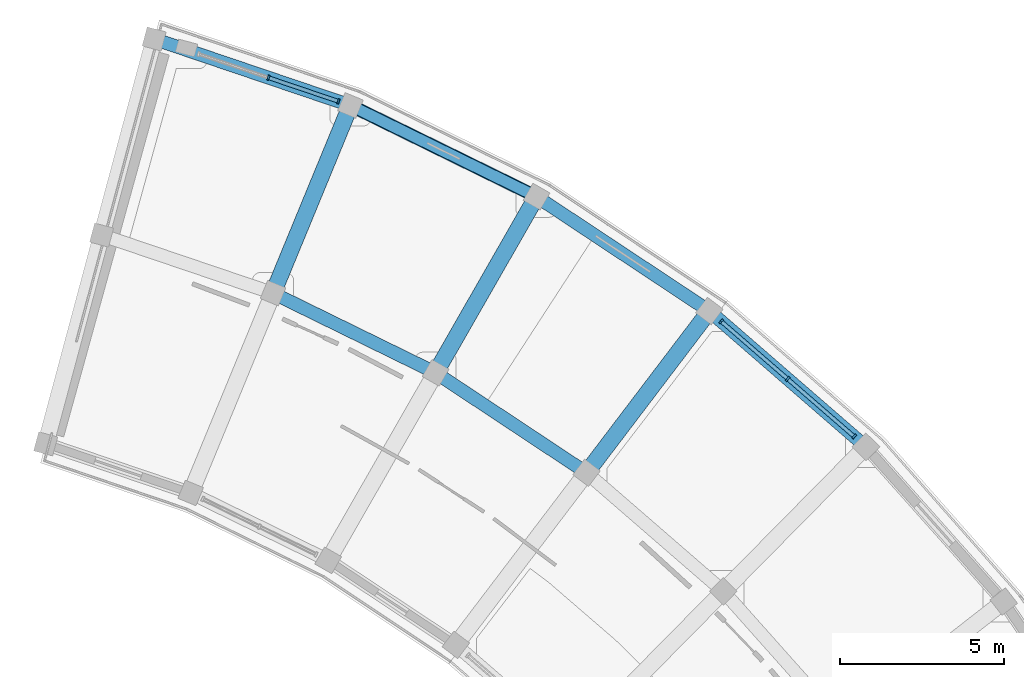
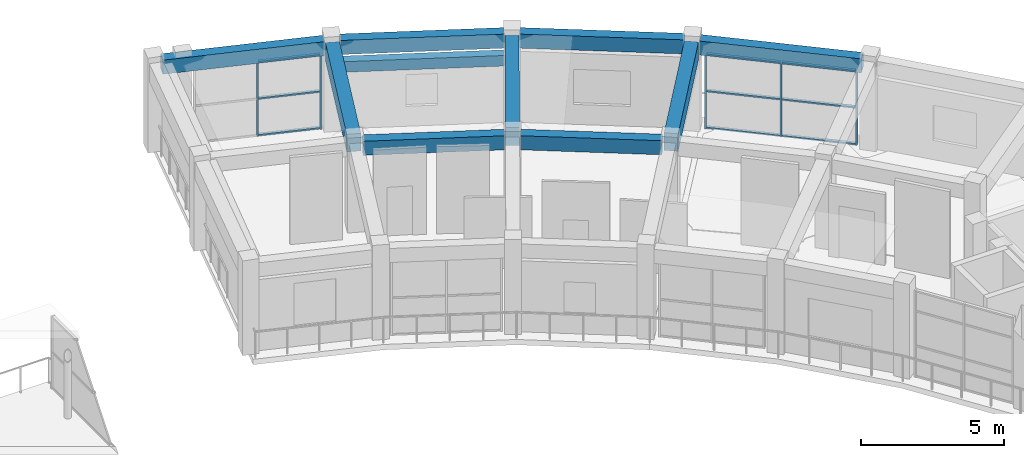
# One storey, part 15 of 29: 14 members, 10 beams, 2 elements without a shape of their own.
"""IFC4 building model written with IfcOpenShell, lengths in metres."""

from ifc_helpers import new_model, si_unit, direction, frame, origin, origin_2d, place, context, subcontext, project, spatial, rectangle, extrude, material, material_profile, profile_set, type_object, element, aggregate, save


model = new_model("IFC4")

# Units and contexts
model_context = context("Model", 3, precision=1e-05, world=origin(), true_north=direction((0.0, 1.0)))
body_context = subcontext(model_context, "Body", "Model", "MODEL_VIEW")
ifc_project = project(units=[si_unit("LENGTHUNIT", "METRE"), si_unit("AREAUNIT", "SQUARE_METRE"), si_unit("VOLUMEUNIT", "CUBIC_METRE"), si_unit("PLANEANGLEUNIT", "RADIAN"), si_unit("MASSUNIT", "GRAM", prefix="KILO")], contexts=[model_context])

# Site, building, storey
site_placement = place(None, origin())
site = spatial("IfcSite", under=ifc_project, at=site_placement, CompositionType="ELEMENT")
building_placement = place(site_placement, origin())
building = spatial("IfcBuilding", under=site, at=building_placement, Name="Saryqyr Civic Hall", CompositionType="ELEMENT")
storey_placement = place(building_placement, frame((0.0, 0.0, 25.35009765625)))
storey = spatial("IfcBuildingStorey", under=building, at=storey_placement, Name="L06", CompositionType="ELEMENT", Elevation=25.35009765625)

# Curtain wall, members
ifc_material_1 = material(Name="Anodised aluminium and triple low-E glass", Category="aluminium")
curtain_wall_type_1 = type_object("IfcCurtainWallType", Name="ENV-CW-STD-39", PredefinedType="NOTDEFINED", material=ifc_material_1)
curtain_wall_1_placement = place(storey_placement, origin())
curtain_wall_1 = element("IfcCurtainWall", 1, at=curtain_wall_1_placement, inside=storey, type_object=curtain_wall_type_1, Name="Curtain wall V6-CWO-L06-06", PredefinedType="NOTDEFINED")
ifc_material_2 = material(Name="Anodised aluminium", Category="aluminium")
ifc_material_profile_1 = material_profile(ifc_material_2, rectangle(XDim=0.06005859375, YDim=0.159912109375, at=origin_2d()), Name="ALU MULLION 60x160")
ifc_profile_set_1 = profile_set([ifc_material_profile_1], Name="Anodised aluminium")
member_type_1 = type_object("IfcMemberType", Name="ENV-CW-MUL-180", PredefinedType="MULLION", material=ifc_profile_set_1)
member_1_placement = place(storey_placement, frame((86.998291015625, 122.707763671875, 0.0), z_axis=(0.0, 0.0, 1.0), x_axis=(0.755657475938, -0.654967006085, 0.0)))
member_1 = element("IfcMember", 2, at=member_1_placement, type_object=member_type_1, Name="CW-39 mullion 1", PredefinedType="MULLION", context=body_context, shape_type="SweptSolid", body=[
    extrude(rectangle(XDim=0.06005859375, YDim=0.159912109375, at=origin_2d()), origin(), (0.0, 0.0, 1.0), 3.184814453125),
])
member_2_placement = place(storey_placement, frame((89.026611328125, 120.94970703125, 0.0), z_axis=(0.0, 0.0, 1.0), x_axis=(0.755657475938, -0.654967006085, 0.0)))
member_2 = element("IfcMember", 3, at=member_2_placement, type_object=member_type_1, Name="CW-39 mullion 2", PredefinedType="MULLION", context=body_context, shape_type="SweptSolid", body=[
    extrude(rectangle(XDim=0.06005859375, YDim=0.159912109375, at=origin_2d()), origin(), (0.0, 0.0, 1.0), 3.184814453125),
])
member_3_placement = place(storey_placement, frame((91.054931640625, 119.191650390625, 0.0), z_axis=(0.0, 0.0, 1.0), x_axis=(0.755657475938, -0.654967006085, 0.0)))
member_3 = element("IfcMember", 4, at=member_3_placement, type_object=member_type_1, Name="CW-39 mullion 3", PredefinedType="MULLION", context=body_context, shape_type="SweptSolid", body=[
    extrude(rectangle(XDim=0.06005859375, YDim=0.159912109375, at=origin_2d()), origin(), (0.0, 0.0, 1.0), 3.184814453125),
])

curtain_wall_type_2 = type_object("IfcCurtainWallType", Name="ENV-CW-STD-30", PredefinedType="NOTDEFINED", material=ifc_material_1)
curtain_wall_2_placement = place(storey_placement, origin())
curtain_wall_2 = element("IfcCurtainWall", 5, at=curtain_wall_2_placement, inside=storey, type_object=curtain_wall_type_2, Name="Curtain wall V6-CWO-L06-09", PredefinedType="NOTDEFINED")
member_4_placement = place(storey_placement, frame((73.173583984375, 130.1484375, 0.0), z_axis=(0.0, 0.0, 1.0), x_axis=(0.947190494511, -0.320671431699, 0.0)))
member_4 = element("IfcMember", 6, at=member_4_placement, type_object=member_type_1, Name="CW-30 mullion 2", PredefinedType="MULLION", context=body_context, shape_type="SweptSolid", body=[
    extrude(rectangle(XDim=0.06005859375, YDim=0.159912109375, at=origin_2d()), origin(), (0.0, 0.0, 1.0), 3.184814453125),
])
member_5_placement = place(storey_placement, frame((75.30810546875, 129.42578125, 0.0), z_axis=(0.0, 0.0, 1.0), x_axis=(0.947190494511, -0.320671431699, 0.0)))
member_5 = element("IfcMember", 7, at=member_5_placement, type_object=member_type_1, Name="CW-30 mullion 3", PredefinedType="MULLION", context=body_context, shape_type="SweptSolid", body=[
    extrude(rectangle(XDim=0.06005859375, YDim=0.159912109375, at=origin_2d()), origin(), (0.0, 0.0, 1.0), 3.184814453125),
])

# Member
ifc_material_profile_2 = material_profile(ifc_material_2, rectangle(XDim=0.1201171875, YDim=0.06005859375, at=origin_2d()), Name="ALU TRANSOM 120x60")
ifc_profile_set_2 = profile_set([ifc_material_profile_2], Name="Anodised aluminium")
member_type_2 = type_object("IfcMemberType", Name="ENV-CW-TRN-150", PredefinedType="USERDEFINED", material=ifc_profile_set_2)
member_6_placement = place(storey_placement, frame((87.02099609375, 122.688232421875, 0.02978515625), z_axis=(0.755646104704, -0.65498012523, 0.0), x_axis=(0.65498012523, 0.755646104704, 0.0)))
member_6 = element("IfcMember", 8, at=member_6_placement, type_object=member_type_2, Name="CW-39 transom 1.1", ObjectType="TRANSOM", PredefinedType="USERDEFINED", context=body_context, shape_type="SweptSolid", body=[
    extrude(rectangle(XDim=0.1201171875, YDim=0.06005859375, at=origin_2d()), origin(), (0.0, 0.0, 1.0), 2.6240234375),
])

member_7_placement = place(storey_placement, frame((87.02099609375, 122.688232421875, 1.593017578125), z_axis=(0.755646104704, -0.65498012523, 0.0), x_axis=(0.65498012523, 0.755646104704, 0.0)))
member_7 = element("IfcMember", 9, at=member_7_placement, type_object=member_type_2, Name="CW-39 transom 1.2", ObjectType="TRANSOM", PredefinedType="USERDEFINED", context=body_context, shape_type="SweptSolid", body=[
    extrude(rectangle(XDim=0.1201171875, YDim=0.06005859375, at=origin_2d()), origin(), (0.0, 0.0, 1.0), 2.6240234375),
])

member_8_placement = place(storey_placement, frame((87.02099609375, 122.688232421875, 3.15478515625), z_axis=(0.755646104704, -0.65498012523, 0.0), x_axis=(0.65498012523, 0.755646104704, 0.0)))
member_8 = element("IfcMember", 10, at=member_8_placement, type_object=member_type_2, Name="CW-39 transom 1.3", ObjectType="TRANSOM", PredefinedType="USERDEFINED", context=body_context, shape_type="SweptSolid", body=[
    extrude(rectangle(XDim=0.1201171875, YDim=0.06005859375, at=origin_2d()), origin(), (0.0, 0.0, 1.0), 2.6240234375),
])

member_9_placement = place(storey_placement, frame((89.04931640625, 120.93017578125, 0.02978515625), z_axis=(0.755639971157, -0.654987201393, 0.0), x_axis=(0.654987201393, 0.755639971157, 0.0)))
member_9 = element("IfcMember", 11, at=member_9_placement, type_object=member_type_2, Name="CW-39 transom 2.1", ObjectType="TRANSOM", PredefinedType="USERDEFINED", context=body_context, shape_type="SweptSolid", body=[
    extrude(rectangle(XDim=0.1201171875, YDim=0.06005859375, at=origin_2d()), origin(), (0.0, 0.0, 1.0), 2.62451171875),
])

member_10_placement = place(storey_placement, frame((89.04931640625, 120.93017578125, 1.593017578125), z_axis=(0.755639971157, -0.654987201393, 0.0), x_axis=(0.654987201393, 0.755639971157, 0.0)))
member_10 = element("IfcMember", 12, at=member_10_placement, type_object=member_type_2, Name="CW-39 transom 2.2", ObjectType="TRANSOM", PredefinedType="USERDEFINED", context=body_context, shape_type="SweptSolid", body=[
    extrude(rectangle(XDim=0.1201171875, YDim=0.06005859375, at=origin_2d()), origin(), (0.0, 0.0, 1.0), 2.62451171875),
])

member_11_placement = place(storey_placement, frame((89.04931640625, 120.93017578125, 3.15478515625), z_axis=(0.755639971157, -0.654987201393, 0.0), x_axis=(0.654987201393, 0.755639971157, 0.0)))
member_11 = element("IfcMember", 13, at=member_11_placement, type_object=member_type_2, Name="CW-39 transom 2.3", ObjectType="TRANSOM", PredefinedType="USERDEFINED", context=body_context, shape_type="SweptSolid", body=[
    extrude(rectangle(XDim=0.1201171875, YDim=0.06005859375, at=origin_2d()), origin(), (0.0, 0.0, 1.0), 2.62451171875),
])

aggregate(curtain_wall_1, [member_1, member_2, member_3, member_6, member_7, member_8, member_9, member_10, member_11])

member_12_placement = place(storey_placement, frame((73.201904296875, 130.138916015625, 0.02978515625), z_axis=(0.947192567084, -0.320665309726, 0.0), x_axis=(0.320665309726, 0.947192567084, 0.0)))
member_12 = element("IfcMember", 14, at=member_12_placement, type_object=member_type_2, Name="CW-30 transom 2.1", ObjectType="TRANSOM", PredefinedType="USERDEFINED", context=body_context, shape_type="SweptSolid", body=[
    extrude(rectangle(XDim=0.1201171875, YDim=0.06005859375, at=origin_2d()), origin(), (0.0, 0.0, 1.0), 2.193359375),
])

member_13_placement = place(storey_placement, frame((73.201904296875, 130.138916015625, 1.593017578125), z_axis=(0.947192567084, -0.320665309726, 0.0), x_axis=(0.320665309726, 0.947192567084, 0.0)))
member_13 = element("IfcMember", 15, at=member_13_placement, type_object=member_type_2, Name="CW-30 transom 2.2", ObjectType="TRANSOM", PredefinedType="USERDEFINED", context=body_context, shape_type="SweptSolid", body=[
    extrude(rectangle(XDim=0.1201171875, YDim=0.06005859375, at=origin_2d()), origin(), (0.0, 0.0, 1.0), 2.193359375),
])

member_14_placement = place(storey_placement, frame((73.201904296875, 130.138916015625, 3.15478515625), z_axis=(0.947192567084, -0.320665309726, 0.0), x_axis=(0.320665309726, 0.947192567084, 0.0)))
member_14 = element("IfcMember", 16, at=member_14_placement, type_object=member_type_2, Name="CW-30 transom 2.3", ObjectType="TRANSOM", PredefinedType="USERDEFINED", context=body_context, shape_type="SweptSolid", body=[
    extrude(rectangle(XDim=0.1201171875, YDim=0.06005859375, at=origin_2d()), origin(), (0.0, 0.0, 1.0), 2.193359375),
])

aggregate(curtain_wall_2, [member_4, member_5, member_12, member_13, member_14])

# Beams
ifc_material_3 = material(Name="Concrete C35/45", Category="concrete")
ifc_material_profile_3 = material_profile(ifc_material_3, rectangle(XDim=0.39990234375, YDim=0.60009765625, at=origin_2d()), Name="RC 400x600")
ifc_profile_set_3 = profile_set([ifc_material_profile_3], Name="Concrete C35/45")
beam_type_1 = type_object("IfcBeamType", Name="STR-BM-RC400x600", PredefinedType="BEAM", material=ifc_profile_set_3)
for number, where, z_axis, x_axis, name in (
    (17, (82.656494140625, 118.236572265625, 3.510009765625), (-0.833759218515, 0.552128214767, 0.0), (-0.552128214767, -0.833759218515, 0.0), "Beam V6-CBM-MID07-L06"),
    (18, (78.030029296875, 121.257568359375, 3.510009765625), (-0.897969369862, 0.440057962989, 0.0), (-0.440057962989, -0.897969369862, 0.0), "Beam V6-CBM-MID08-L06"),
):
    element("IfcBeam", number, at=place(storey_placement, frame(where, z_axis=z_axis, x_axis=x_axis)), inside=storey, type_object=beam_type_1, Name=name, PredefinedType="BEAM", context=body_context, shape_type="SweptSolid", body=[
        extrude(rectangle(XDim=0.39990234375, YDim=0.60009765625, at=origin_2d()), origin(), (0.0, 0.0, 1.0), 4.9775390625),
    ])
ifc_material_profile_4 = material_profile(ifc_material_3, rectangle(XDim=0.39990234375, YDim=0.60009765625, at=origin_2d()), Name="RC 400x600")
ifc_profile_set_4 = profile_set([ifc_material_profile_4], Name="Concrete C35/45")
beam_type_2 = type_object("IfcBeamType", Name="STR-BM-RC400x600-EXT", PredefinedType="BEAM", material=ifc_profile_set_4)
beam_1_placement = place(storey_placement, frame((91.2099609375, 119.057373046875, 3.510009765625), z_axis=(-0.755654230233, 0.654970750745, 0.0), x_axis=(-0.654970750745, -0.755654230233, 0.0)))
element("IfcBeam", 19, at=beam_1_placement, inside=storey, type_object=beam_type_2, Name="Beam V6-CBM-OUT06-L06", PredefinedType="BEAM", context=body_context, shape_type="SweptSolid", body=[
    extrude(rectangle(XDim=0.39990234375, YDim=0.60009765625, at=origin_2d()), origin(), (0.0, 0.0, 1.0), 5.7783203125),
])
for number, where, z_axis, x_axis, name in (
    (20, (86.40625, 123.174072265625, 3.510009765625), (-0.833762314581, 0.552123539422, 0.0), (-0.552123539422, -0.833762314581, 0.0), "Beam V6-CBM-OUT07-L06"),
    (21, (81.1123046875, 126.63720703125, 3.510009765625), (-0.897964591433, 0.440067713577, 0.0), (-0.440067713577, -0.897964591433, 0.0), "Beam V6-CBM-OUT08-L06"),
    (22, (75.416015625, 129.389404296875, 3.510009765625), (-0.947202743772, 0.320635247892, 0.0), (-0.320635247892, -0.947202743772, 0.0), "Beam V6-CBM-OUT09-L06"),
):
    element("IfcBeam", number, at=place(storey_placement, frame(where, z_axis=z_axis, x_axis=x_axis)), inside=storey, type_object=beam_type_2, Name=name, PredefinedType="BEAM", context=body_context, shape_type="SweptSolid", body=[
        extrude(rectangle(XDim=0.39990234375, YDim=0.60009765625, at=origin_2d()), origin(), (0.0, 0.0, 1.0), 5.778564453125),
    ])
ifc_material_4 = material(Name="Concrete C40/50", Category="concrete")
ifc_material_profile_5 = material_profile(ifc_material_4, rectangle(XDim=0.5, YDim=0.75, at=origin_2d()), Name="RC 500x750")
ifc_profile_set_5 = profile_set([ifc_material_profile_5], Name="Concrete C40/50")
beam_type_3 = type_object("IfcBeamType", Name="STR-BM-RC500x750", PredefinedType="BEAM", material=ifc_profile_set_5)
beam_2_placement = place(storey_placement, frame((83.052001953125, 118.3037109375, 3.434814453125), z_axis=(0.604814812056, 0.796366148903, 0.0), x_axis=(-0.796366148903, 0.604814812056, 0.0)))
element("IfcBeam", 23, at=beam_2_placement, inside=storey, type_object=beam_type_3, Name="Beam V6-RBM-B07-L06", PredefinedType="BEAM", context=body_context, shape_type="SweptSolid", body=[
    extrude(rectangle(XDim=0.5, YDim=0.75, at=origin_2d()), origin(), (0.0, 0.0, 1.0), 5.650146484375),
])
beam_3_placement = place(storey_placement, frame((78.413818359375, 121.375244140625, 3.434814453125), z_axis=(0.497106570518, 0.867689493741, 0.0), x_axis=(-0.867689493741, 0.497106570518, 0.0)))
element("IfcBeam", 24, at=beam_3_placement, inside=storey, type_object=beam_type_3, Name="Beam V6-RBM-B08-L06", PredefinedType="BEAM", context=body_context, shape_type="SweptSolid", body=[
    extrude(rectangle(XDim=0.5, YDim=0.75, at=origin_2d()), origin(), (0.0, 0.0, 1.0), 5.64990234375),
])
beam_4_placement = place(storey_placement, frame((73.418212890625, 123.8232421875, 3.434814453125), z_axis=(0.381114889866, 0.924527685212, 0.0), x_axis=(-0.924527685212, 0.381114889866, 0.0)))
element("IfcBeam", 25, at=beam_4_placement, inside=storey, type_object=beam_type_3, Name="Beam V6-RBM-B09-L06", PredefinedType="BEAM", context=body_context, shape_type="SweptSolid", body=[
    extrude(rectangle(XDim=0.5, YDim=0.75, at=origin_2d()), origin(), (0.0, 0.0, 1.0), 5.650146484375),
])
ifc_material_5 = material(Name="Precast concrete C40/50", Category="concrete")
ifc_material_profile_6 = material_profile(ifc_material_5, rectangle(XDim=0.35009765625, YDim=0.449951171875, at=origin_2d()), Name="RC 350x450")
ifc_profile_set_6 = profile_set([ifc_material_profile_6], Name="Precast concrete C40/50")
beam_type_4 = type_object("IfcBeamType", Name="STR-LIN-RC350x450", PredefinedType="LINTEL", material=ifc_profile_set_6)
beam_5_placement = place(storey_placement, frame((81.1123046875, 126.63720703125, 2.65478515625), z_axis=(-0.897964591433, 0.440067713577, 0.0), x_axis=(-0.440067713577, -0.897964591433, 0.0)))
element("IfcBeam", 26, at=beam_5_placement, inside=storey, type_object=beam_type_4, Name="Beam V6-LIN-08-L06", PredefinedType="LINTEL", context=body_context, shape_type="SweptSolid", body=[
    extrude(rectangle(XDim=0.35009765625, YDim=0.449951171875, at=origin_2d()), origin(), (0.0, 0.0, 1.0), 5.778564453125),
])

save(model, "model.ifc")
